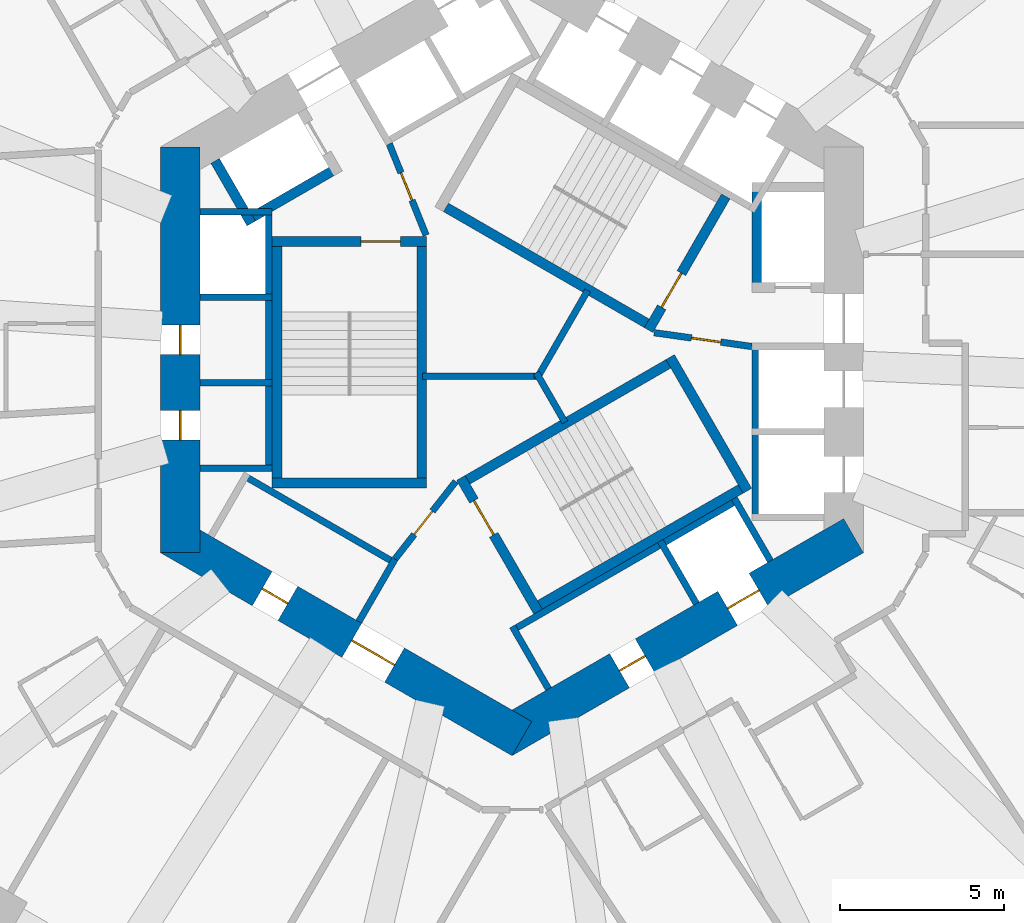
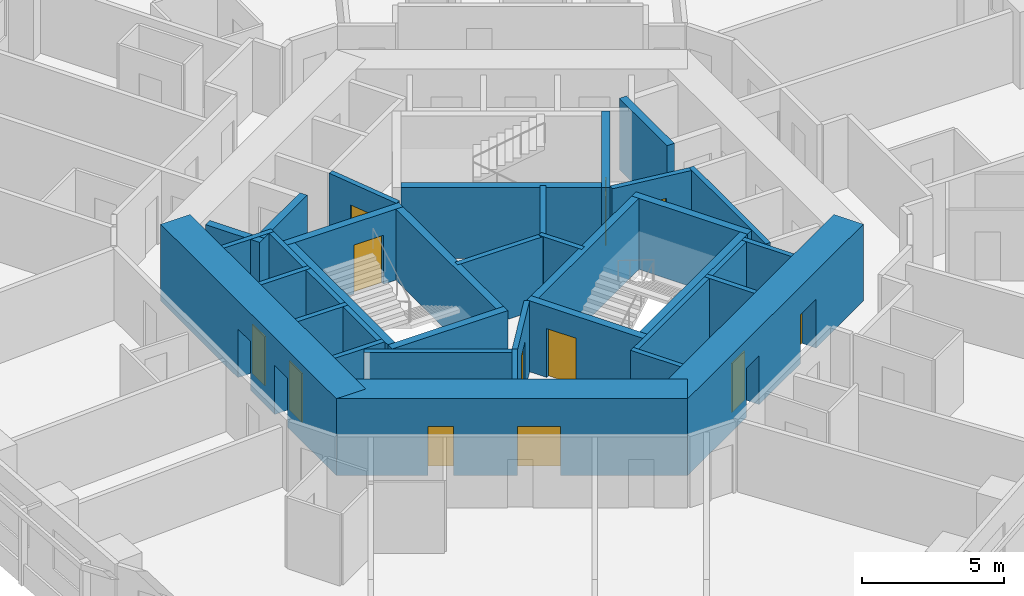
# One storey, part 5 of 12: 34 walls, 12 doors, 12 openings.
"""IFC4 building model written with IfcOpenShell, lengths in metres."""

from ifc_helpers import new_model, si_unit, direction, frame, frame_2d, origin, place, context, subcontext, project, spatial, rectangle, extrude, material, layer, layer_set, type_object, element, fill, save


model = new_model("IFC4")

# Units and contexts
model_context = context("Model", 3, precision=1e-05, world=origin(), true_north=direction((0.0, 1.0)))
body_context = subcontext(model_context, "Body", "Model", "MODEL_VIEW")
ifc_project = project(units=[si_unit("LENGTHUNIT", "METRE"), si_unit("AREAUNIT", "SQUARE_METRE"), si_unit("VOLUMEUNIT", "CUBIC_METRE"), si_unit("PLANEANGLEUNIT", "RADIAN"), si_unit("MASSUNIT", "GRAM", prefix="KILO")], contexts=[model_context])

# Site, building, storey
site_placement = place(None, origin())
site = spatial("IfcSite", under=ifc_project, at=site_placement, CompositionType="ELEMENT")
building_placement = place(site_placement, origin())
building = spatial("IfcBuilding", under=site, at=building_placement, Name="Vanh Sen Convention Tower", CompositionType="ELEMENT")
storey_placement = place(building_placement, frame((0.0, 0.0, 67.10009765625)))
storey = spatial("IfcBuildingStorey", under=building, at=storey_placement, Name="L14", CompositionType="ELEMENT", Elevation=67.10009765625)

# Wall, openings, doors
ifc_material_1 = material(Name="Concrete C80/95", Category="concrete")
ifc_layer_1 = layer(ifc_material_1, 1.199951171875)
ifc_layer_set_1 = layer_set([ifc_layer_1], Name="Concrete C80/95")
wall_type_1 = type_object("IfcWallType", Name="Core outer wall 1200 C80/95", PredefinedType="SHEAR", material=ifc_layer_set_1)
wall_1_placement = place(storey_placement, frame((-10.10009765625, 6.177490234375, 0.0), z_axis=(0.0, 0.0, 1.0), x_axis=(0.0, -1.0, 0.0)))
wall_1 = element("IfcWall", 1, at=wall_1_placement, inside=storey, type_object=wall_type_1, Name="Core wall face W L14", PredefinedType="SHEAR", context=body_context, shape_type="SweptSolid", body=[
    extrude(rectangle(XDim=12.35498046875, YDim=1.199951171875, at=frame_2d((6.177490234375, 0.0))), origin(), (0.0, 0.0, 1.0), 3.2998046875),
])
opening_1_placement = place(wall_1_placement, frame((5.427490234375, 0.0, 0.0)))
opening_1 = element("IfcOpeningElement", 2, at=opening_1_placement, cuts=wall_1, Name="Opening D13010", PredefinedType="OPENING", context=body_context, shape_type="SweptSolid", body=[
    extrude(rectangle(XDim=0.89990234375, YDim=2.10009765625, at=frame_2d((0.449951171875, 1.050048828125))), frame((0.0, 0.60986328125, 0.0), z_axis=(0.0, -1.0, 0.0), x_axis=(1.0, 0.0, 0.0)), (0.0, 0.0, 1.0), 1.219970703125),
])
opening_2_placement = place(wall_1_placement, frame((8.027587890625, 0.0, 0.0)))
opening_2 = element("IfcOpeningElement", 3, at=opening_2_placement, cuts=wall_1, Name="Opening D13011", PredefinedType="OPENING", context=body_context, shape_type="SweptSolid", body=[
    extrude(rectangle(XDim=0.89990234375, YDim=2.10009765625, at=frame_2d((0.449951171875, 1.050048828125))), frame((0.0, 0.60986328125, 0.0), z_axis=(0.0, -1.0, 0.0), x_axis=(1.0, 0.0, 0.0)), (0.0, 0.0, 1.0), 1.219970703125),
])
ifc_material_2 = material(Name="Steel S355", Category="steel")
door_type_1 = type_object("IfcDoorType", Name="Plant door 900", OperationType="SINGLE_SWING_LEFT", PredefinedType="DOOR", material=ifc_material_2)
door_1_placement = place(opening_1_placement, origin())
door_1 = element("IfcDoor", 4, at=door_1_placement, inside=storey, type_object=door_type_1, Name="Plant door D13010", OperationType="SINGLE_SWING_LEFT", OverallHeight=2.10009765625, OverallWidth=0.89990234375, PredefinedType="DOOR", context=body_context, shape_type="SweptSolid", body=[
    extrude(rectangle(XDim=0.89990234375, YDim=2.10009765625, at=frame_2d((0.449951171875, 1.050048828125))), frame((0.0, 0.02490234375, 0.0), z_axis=(0.0, -1.0, 0.0), x_axis=(1.0, 0.0, 0.0)), (0.0, 0.0, 1.0), 0.050048828125),
])
fill(opening_1, door_1)
door_2_placement = place(opening_2_placement, origin())
door_2 = element("IfcDoor", 5, at=door_2_placement, inside=storey, type_object=door_type_1, Name="Plant door D13011", OperationType="SINGLE_SWING_LEFT", OverallHeight=2.10009765625, OverallWidth=0.89990234375, PredefinedType="DOOR", context=body_context, shape_type="SweptSolid", body=[
    extrude(rectangle(XDim=0.89990234375, YDim=2.10009765625, at=frame_2d((0.449951171875, 1.050048828125))), frame((0.0, 0.02490234375, 0.0), z_axis=(0.0, -1.0, 0.0), x_axis=(1.0, 0.0, 0.0)), (0.0, 0.0, 1.0), 0.050048828125),
])
fill(opening_2, door_2)

wall_2_placement = place(storey_placement, frame((-10.39990234375, -5.657958984375, 0.0), z_axis=(0.0, 0.0, 1.0), x_axis=(0.866021384402, -0.500006961711, 0.0)))
wall_2 = element("IfcWall", 6, at=wall_2_placement, inside=storey, type_object=wall_type_1, Name="Core wall face SW L14", PredefinedType="SHEAR", context=body_context, shape_type="SweptSolid", body=[
    extrude(rectangle(XDim=12.355224609375, YDim=1.199951171875, at=frame_2d((6.177734375, 0.0))), origin(), (0.0, 0.0, 1.0), 3.2998046875),
])
opening_3_placement = place(wall_2_placement, frame((6.377685546875, 0.0, 0.0)))
opening_3 = element("IfcOpeningElement", 7, at=opening_3_placement, cuts=wall_2, Name="Opening D13003", PredefinedType="OPENING", context=body_context, shape_type="SweptSolid", body=[
    extrude(rectangle(XDim=1.5, YDim=2.10009765625, at=frame_2d((0.75, 1.050048828125))), frame((0.0, 0.60986328125, 0.0), z_axis=(0.0, -1.0, 0.0), x_axis=(1.0, 0.0, 0.0)), (0.0, 0.0, 1.0), 1.219970703125),
])
opening_4_placement = place(wall_2_placement, frame((3.227783203125, 0.0, 0.0)))
opening_4 = element("IfcOpeningElement", 8, at=opening_4_placement, cuts=wall_2, Name="Opening D13012", PredefinedType="OPENING", context=body_context, shape_type="SweptSolid", body=[
    extrude(rectangle(XDim=0.89990234375, YDim=2.10009765625, at=frame_2d((0.449951171875, 1.050048828125))), frame((0.0, 0.60986328125, 0.0), z_axis=(0.0, -1.0, 0.0), x_axis=(1.0, 0.0, 0.0)), (0.0, 0.0, 1.0), 1.219970703125),
])
door_3_placement = place(opening_4_placement, origin())
door_3 = element("IfcDoor", 9, at=door_3_placement, inside=storey, type_object=door_type_1, Name="Plant door D13012", OperationType="SINGLE_SWING_LEFT", OverallHeight=2.10009765625, OverallWidth=0.89990234375, PredefinedType="DOOR", context=body_context, shape_type="SweptSolid", body=[
    extrude(rectangle(XDim=0.89990234375, YDim=2.10009765625, at=frame_2d((0.449951171875, 1.050048828125))), frame((0.0, 0.02490234375, 0.0), z_axis=(0.0, -1.0, 0.0), x_axis=(1.0, 0.0, 0.0)), (0.0, 0.0, 1.0), 0.050048828125),
])
fill(opening_4, door_3)
door_type_2 = type_object("IfcDoorType", Name="Stair lobby door 1500", OperationType="DOUBLE_DOOR_SINGLE_SWING", PredefinedType="DOOR", material=ifc_material_2)
door_4_placement = place(opening_3_placement, origin())
door_4 = element("IfcDoor", 10, at=door_4_placement, inside=storey, type_object=door_type_2, Name="Stair lobby door D13003", OperationType="DOUBLE_DOOR_SINGLE_SWING", OverallHeight=2.10009765625, OverallWidth=1.5, PredefinedType="DOOR", context=body_context, shape_type="SweptSolid", body=[
    extrude(rectangle(XDim=1.5, YDim=2.10009765625, at=frame_2d((0.75, 1.050048828125))), frame((0.0, 0.02490234375, 0.0), z_axis=(0.0, -1.0, 0.0), x_axis=(1.0, 0.0, 0.0)), (0.0, 0.0, 1.0), 0.050048828125),
])
fill(opening_3, door_4)

wall_3_placement = place(storey_placement, frame((-0.300048828125, -11.835693359375, 0.0), z_axis=(0.0, 0.0, 1.0), x_axis=(0.866021384402, 0.500006961711, 0.0)))
wall_3 = element("IfcWall", 11, at=wall_3_placement, inside=storey, type_object=wall_type_1, Name="Core wall face SE L14", PredefinedType="SHEAR", context=body_context, shape_type="SweptSolid", body=[
    extrude(rectangle(XDim=12.355224609375, YDim=1.199951171875, at=frame_2d((6.177734375, 0.0))), origin(), (0.0, 0.0, 1.0), 3.2998046875),
])
opening_5_placement = place(wall_3_placement, frame((4.127685546875, 0.0, 0.0)))
opening_5 = element("IfcOpeningElement", 12, at=opening_5_placement, cuts=wall_3, Name="Opening D13013", PredefinedType="OPENING", context=body_context, shape_type="SweptSolid", body=[
    extrude(rectangle(XDim=0.89990234375, YDim=2.10009765625, at=frame_2d((0.449951171875, 1.050048828125))), frame((0.0, 0.60986328125, 0.0), z_axis=(0.0, -1.0, 0.0), x_axis=(1.0, 0.0, 0.0)), (0.0, 0.0, 1.0), 1.219970703125),
])
opening_6_placement = place(wall_3_placement, frame((7.927734375, 0.0, 0.0)))
opening_6 = element("IfcOpeningElement", 13, at=opening_6_placement, cuts=wall_3, Name="Opening LD-SV1", PredefinedType="OPENING", context=body_context, shape_type="SweptSolid", body=[
    extrude(rectangle(XDim=1.10009765625, YDim=2.10009765625, at=frame_2d((0.550048828125, 1.050048828125))), frame((0.0, 0.60986328125, 0.0), z_axis=(0.0, -1.0, 0.0), x_axis=(1.0, 0.0, 0.0)), (0.0, 0.0, 1.0), 1.219970703125),
])
ifc_material_3 = material(Name="Stainless steel", Category="steel")
door_type_3 = type_object("IfcDoorType", Name="Lift landing door 1100", OperationType="DOUBLE_DOOR_SLIDING", PredefinedType="DOOR", material=ifc_material_3)
door_5_placement = place(opening_6_placement, origin())
door_5 = element("IfcDoor", 14, at=door_5_placement, inside=storey, type_object=door_type_3, Name="Lift SV1 landing door LD-SV1", OperationType="DOUBLE_DOOR_SLIDING", OverallHeight=2.10009765625, OverallWidth=1.10009765625, PredefinedType="DOOR", context=body_context, shape_type="SweptSolid", body=[
    extrude(rectangle(XDim=1.10009765625, YDim=2.10009765625, at=frame_2d((0.550048828125, 1.050048828125))), frame((0.0, 0.02490234375, 0.0), z_axis=(0.0, -1.0, 0.0), x_axis=(1.0, 0.0, 0.0)), (0.0, 0.0, 1.0), 0.050048828125),
])
fill(opening_6, door_5)
door_6_placement = place(opening_5_placement, origin())
door_6 = element("IfcDoor", 15, at=door_6_placement, inside=storey, type_object=door_type_1, Name="Plant door D13013", OperationType="SINGLE_SWING_LEFT", OverallHeight=2.10009765625, OverallWidth=0.89990234375, PredefinedType="DOOR", context=body_context, shape_type="SweptSolid", body=[
    extrude(rectangle(XDim=0.89990234375, YDim=2.10009765625, at=frame_2d((0.449951171875, 1.050048828125))), frame((0.0, 0.02490234375, 0.0), z_axis=(0.0, -1.0, 0.0), x_axis=(1.0, 0.0, 0.0)), (0.0, 0.0, 1.0), 0.050048828125),
])
fill(opening_5, door_6)

# Walls
ifc_material_4 = material(Name="Masonry blockwork", Category="masonry")
ifc_layer_2 = layer(ifc_material_4, 0.199951171875)
ifc_layer_set_2 = layer_set([ifc_layer_2], Name="Masonry blockwork")
wall_type_2 = type_object("IfcWallType", Name="Core partition 200", PredefinedType="PARTITIONING", material=ifc_layer_set_2)
wall_4_placement = place(storey_placement, frame((0.919921875, -0.800048828125, 0.0), z_axis=(0.0, 0.0, 1.0), x_axis=(-1.0, 0.0, 0.0)))
element("IfcWall", 16, at=wall_4_placement, inside=storey, type_object=wall_type_2, Name="Core partition L14", PredefinedType="PARTITIONING", context=body_context, shape_type="SweptSolid", body=[
    extrude(rectangle(XDim=3.639892578125, YDim=0.199951171875, at=frame_2d((1.81982421875, 0.0))), origin(), (0.0, 0.0, 1.0), 3.0498046875),
])
wall_5_placement = place(storey_placement, frame((0.739990234375, -0.90380859375, 0.0), z_axis=(0.0, 0.0, 1.0), x_axis=(0.500028278809, 0.866009076391, 0.0)))
element("IfcWall", 17, at=wall_5_placement, inside=storey, type_object=wall_type_2, Name="Core partition L14", PredefinedType="PARTITIONING", context=body_context, shape_type="SweptSolid", body=[
    extrude(rectangle(XDim=3.132568359375, YDim=0.199951171875, at=frame_2d((1.56640625, 0.0))), origin(), (0.0, 0.0, 1.0), 3.0498046875),
])
wall_6_placement = place(storey_placement, frame((0.739990234375, -0.696044921875, 0.0), z_axis=(0.0, 0.0, 1.0), x_axis=(0.499956301907, -0.86605063142, 0.0)))
element("IfcWall", 18, at=wall_6_placement, inside=storey, type_object=wall_type_2, Name="Core partition L14", PredefinedType="PARTITIONING", context=body_context, shape_type="SweptSolid", body=[
    extrude(rectangle(XDim=1.747314453125, YDim=0.199951171875, at=frame_2d((0.87353515625, 0.0))), origin(), (0.0, 0.0, 1.0), 3.0498046875),
])
ifc_material_5 = material(Name="Concrete C60/75", Category="concrete")
ifc_layer_3 = layer(ifc_material_5, 0.300048828125)
ifc_layer_set_3 = layer_set([ifc_layer_3], Name="Concrete C60/75")
wall_type_3 = type_object("IfcWallType", Name="Fire-fighting lift shaft wall 300", PredefinedType="SHEAR", material=ifc_layer_set_3)
wall_7_placement = place(storey_placement, frame((7.449951171875, 1.75, 0.0), z_axis=(0.0, 0.0, 1.0), x_axis=(0.0, 1.0, 0.0)))
element("IfcWall", 19, at=wall_7_placement, inside=storey, type_object=wall_type_3, Name="Fire-fighting lift shaft wall L14", PredefinedType="SHEAR", context=body_context, shape_type="SweptSolid", body=[
    extrude(rectangle(XDim=3.35009765625, YDim=0.300048828125, at=frame_2d((1.675048828125, 0.0))), origin(), (0.0, 0.0, 1.0), 3.0498046875),
])
wall_8_placement = place(storey_placement, frame((-5.240478515625, 5.576904296875, 0.0), z_axis=(0.0, 0.0, 1.0), x_axis=(-0.866014461049, -0.500018952895, 0.0)))
element("IfcWall", 20, at=wall_8_placement, inside=storey, type_object=wall_type_3, Name="Fire-fighting lift shaft wall L14", PredefinedType="SHEAR", context=body_context, shape_type="SweptSolid", body=[
    extrude(rectangle(XDim=3.349853515625, YDim=0.300048828125, at=frame_2d((1.6748046875, 0.0))), origin(), (0.0, 0.0, 1.0), 3.0498046875),
])
wall_9_placement = place(storey_placement, frame((-7.936767578125, 3.846923828125, 0.0), z_axis=(0.0, 0.0, 1.0), x_axis=(-0.50002983664, 0.866008176907, 0.0)))
element("IfcWall", 21, at=wall_9_placement, inside=storey, type_object=wall_type_3, Name="Fire-fighting lift shaft wall L14", PredefinedType="SHEAR", context=body_context, shape_type="SweptSolid", body=[
    extrude(rectangle(XDim=2.199951171875, YDim=0.300048828125, at=frame_2d((1.10009765625, 0.0))), origin(), (0.0, 0.0, 1.0), 3.0498046875),
])
ifc_material_6 = material(Name="Concrete C40/50", Category="concrete")
ifc_layer_4 = layer(ifc_material_6, 0.199951171875)
ifc_layer_set_4 = layer_set([ifc_layer_4], Name="Concrete C40/50")
wall_type_4 = type_object("IfcWallType", Name="Lift shaft wall 200", PredefinedType="PARTITIONING", material=ifc_layer_set_4)
wall_10_placement = place(storey_placement, frame((7.39990234375, -5.199951171875, 0.0), z_axis=(0.0, 0.0, 1.0), x_axis=(0.0, 1.0, 0.0)))
element("IfcWall", 22, at=wall_10_placement, inside=storey, type_object=wall_type_4, Name="Lift shaft wall L14", PredefinedType="PARTITIONING", context=body_context, shape_type="SweptSolid", body=[
    extrude(rectangle(XDim=5.39990234375, YDim=0.199951171875, at=frame_2d((2.699951171875, 0.0))), origin(), (0.0, 0.0, 1.0), 3.0498046875),
])
wall_11_placement = place(storey_placement, frame((-7.39990234375, 4.300048828125, 0.0), z_axis=(0.0, 0.0, 1.0), x_axis=(0.0, -1.0, 0.0)))
element("IfcWall", 23, at=wall_11_placement, inside=storey, type_object=wall_type_4, Name="Lift shaft wall L14", PredefinedType="PARTITIONING", context=body_context, shape_type="SweptSolid", body=[
    extrude(rectangle(XDim=8.0, YDim=0.199951171875, at=frame_2d((4.0, 0.0))), origin(), (0.0, 0.0, 1.0), 3.0498046875),
])
for number, where, z_axis, x_axis, name in (
    (24, (-7.300048828125, 4.199951171875, 0.0), (0.0, 0.0, 1.0), (-1.0, 0.0, 0.0), "Lift shaft wall L14"),
    (25, (-7.300048828125, 1.60009765625, 0.0), (0.0, 0.0, 1.0), (-1.0, 0.0, 0.0), "Lift shaft wall L14"),
    (26, (-7.300048828125, -1.0, 0.0), (0.0, 0.0, 1.0), (-1.0, 0.0, 0.0), "Lift shaft wall L14"),
    (27, (-7.300048828125, -3.60009765625, 0.0), (0.0, 0.0, 1.0), (-1.0, 0.0, 0.0), "Lift shaft wall L14"),
):
    element("IfcWall", number, at=place(storey_placement, frame(where, z_axis=z_axis, x_axis=x_axis)), inside=storey, type_object=wall_type_4, Name=name, PredefinedType="PARTITIONING", context=body_context, shape_type="SweptSolid", body=[
        extrude(rectangle(XDim=2.199951171875, YDim=0.199951171875, at=frame_2d((1.10009765625, 0.0))), origin(), (0.0, 0.0, 1.0), 3.0498046875),
    ])
wall_12_placement = place(storey_placement, frame((-8.203369140625, -3.80859375, 0.0), z_axis=(0.0, 0.0, 1.0), x_axis=(0.866028230842, -0.499995103361, 0.0)))
element("IfcWall", 28, at=wall_12_placement, inside=storey, type_object=wall_type_4, Name="Lift shaft wall L14", PredefinedType="PARTITIONING", context=body_context, shape_type="SweptSolid", body=[
    extrude(rectangle(XDim=5.39990234375, YDim=0.199951171875, at=frame_2d((2.699951171875, 0.0))), origin(), (0.0, 0.0, 1.0), 3.0498046875),
])
wall_13_placement = place(storey_placement, frame((-3.5634765625, -6.3720703125, 0.0), z_axis=(0.0, 0.0, 1.0), x_axis=(-0.499994660107, -0.866028486751, 0.0)))
element("IfcWall", 29, at=wall_13_placement, inside=storey, type_object=wall_type_4, Name="Lift shaft wall L14", PredefinedType="PARTITIONING", context=body_context, shape_type="SweptSolid", body=[
    extrude(rectangle(XDim=2.19970703125, YDim=0.199951171875, at=frame_2d((1.099853515625, 0.0))), origin(), (0.0, 0.0, 1.0), 3.0498046875),
])
wall_14_placement = place(storey_placement, frame((-0.02392578125, -8.55859375, 0.0), z_axis=(0.0, 0.0, 1.0), x_axis=(0.866026010844, 0.49999894854, 0.0)))
element("IfcWall", 30, at=wall_14_placement, inside=storey, type_object=wall_type_4, Name="Lift shaft wall L14", PredefinedType="PARTITIONING", context=body_context, shape_type="SweptSolid", body=[
    extrude(rectangle(XDim=8.0, YDim=0.199951171875, at=frame_2d((4.0, 0.0))), origin(), (0.0, 0.0, 1.0), 3.0498046875),
])
for number, where, z_axis, x_axis, name in (
    (31, (0.0126953125, -8.422119140625, 0.0), (0.0, 0.0, 1.0), (0.500077893725, -0.86598042715, 0.0), "Lift shaft wall L14"),
    (32, (4.51611328125, -5.822021484375, 0.0), (0.0, 0.0, 1.0), (0.499946605688, -0.86605622881, 0.0), "Lift shaft wall L14"),
    (33, (6.767578125, -4.52197265625, 0.0), (0.0, 0.0, 1.0), (0.50002983664, -0.866008176907, 0.0), "Lift shaft wall L14"),
):
    element("IfcWall", number, at=place(storey_placement, frame(where, z_axis=z_axis, x_axis=x_axis)), inside=storey, type_object=wall_type_4, Name=name, PredefinedType="PARTITIONING", context=body_context, shape_type="SweptSolid", body=[
        extrude(rectangle(XDim=2.199951171875, YDim=0.199951171875, at=frame_2d((1.10009765625, 0.0))), origin(), (0.0, 0.0, 1.0), 3.0498046875),
    ])

# Wall, opening, door
ifc_layer_5 = layer(ifc_material_6, 0.199951171875)
ifc_layer_set_5 = layer_set([ifc_layer_5], Name="Concrete C40/50")
wall_type_5 = type_object("IfcWallType", Name="Stair lobby wall 200", PredefinedType="PARTITIONING", material=ifc_layer_set_5)
wall_15_placement = place(storey_placement, frame((4.327392578125, 0.52099609375, 0.0), z_axis=(0.0, 0.0, 1.0), x_axis=(0.990124376366, -0.14019172346, 0.0)))
wall_15 = element("IfcWall", 34, at=wall_15_placement, inside=storey, type_object=wall_type_5, Name="Stair lobby wall L14", PredefinedType="PARTITIONING", context=body_context, shape_type="SweptSolid", body=[
    extrude(rectangle(XDim=3.002197265625, YDim=0.199951171875, at=frame_2d((1.5009765625, 0.0))), origin(), (0.0, 0.0, 1.0), 3.0498046875),
])
opening_7_placement = place(wall_15_placement, frame((1.14990234375, 0.0, 0.0)))
opening_7 = element("IfcOpeningElement", 35, at=opening_7_placement, cuts=wall_15, Name="Opening D13007", PredefinedType="OPENING", context=body_context, shape_type="SweptSolid", body=[
    extrude(rectangle(XDim=0.89990234375, YDim=2.10009765625, at=frame_2d((0.449951171875, 1.050048828125))), frame((0.0, 0.10986328125, 0.0), z_axis=(0.0, -1.0, 0.0), x_axis=(1.0, 0.0, 0.0)), (0.0, 0.0, 1.0), 0.219970703125),
])
door_7_placement = place(opening_7_placement, origin())
door_7 = element("IfcDoor", 36, at=door_7_placement, inside=storey, type_object=door_type_1, Name="Plant door D13007", OperationType="SINGLE_SWING_LEFT", OverallHeight=2.10009765625, OverallWidth=0.89990234375, PredefinedType="DOOR", context=body_context, shape_type="SweptSolid", body=[
    extrude(rectangle(XDim=0.89990234375, YDim=2.10009765625, at=frame_2d((0.449951171875, 1.050048828125))), frame((0.0, 0.02490234375, 0.0), z_axis=(0.0, -1.0, 0.0), x_axis=(1.0, 0.0, 0.0)), (0.0, 0.0, 1.0), 0.050048828125),
])
fill(opening_7, door_7)

wall_16_placement = place(storey_placement, frame((-2.614990234375, 3.487060546875, 0.0), z_axis=(0.0, 0.0, 1.0), x_axis=(-0.373576831041, 0.92759924068, 0.0)))
wall_16 = element("IfcWall", 37, at=wall_16_placement, inside=storey, type_object=wall_type_5, Name="Stair lobby wall L14", PredefinedType="PARTITIONING", context=body_context, shape_type="SweptSolid", body=[
    extrude(rectangle(XDim=3.002197265625, YDim=0.199951171875, at=frame_2d((1.5009765625, 0.0))), origin(), (0.0, 0.0, 1.0), 3.0498046875),
])
opening_8_placement = place(wall_16_placement, frame((1.14990234375, 0.0, 0.0)))
opening_8 = element("IfcOpeningElement", 38, at=opening_8_placement, cuts=wall_16, Name="Opening D13008", PredefinedType="OPENING", context=body_context, shape_type="SweptSolid", body=[
    extrude(rectangle(XDim=0.89990234375, YDim=2.10009765625, at=frame_2d((0.449951171875, 1.050048828125))), frame((0.0, 0.10986328125, 0.0), z_axis=(0.0, -1.0, 0.0), x_axis=(1.0, 0.0, 0.0)), (0.0, 0.0, 1.0), 0.219970703125),
])
door_8_placement = place(opening_8_placement, origin())
door_8 = element("IfcDoor", 39, at=door_8_placement, inside=storey, type_object=door_type_1, Name="Plant door D13008", OperationType="SINGLE_SWING_LEFT", OverallHeight=2.10009765625, OverallWidth=0.89990234375, PredefinedType="DOOR", context=body_context, shape_type="SweptSolid", body=[
    extrude(rectangle(XDim=0.89990234375, YDim=2.10009765625, at=frame_2d((0.449951171875, 1.050048828125))), frame((0.0, 0.02490234375, 0.0), z_axis=(0.0, -1.0, 0.0), x_axis=(1.0, 0.0, 0.0)), (0.0, 0.0, 1.0), 0.050048828125),
])
fill(opening_8, door_8)

wall_17_placement = place(storey_placement, frame((-1.71240234375, -4.00830078125, 0.0), z_axis=(0.0, 0.0, 1.0), x_axis=(-0.616549420702, -0.787316208287, 0.0)))
wall_17 = element("IfcWall", 40, at=wall_17_placement, inside=storey, type_object=wall_type_5, Name="Stair lobby wall L14", PredefinedType="PARTITIONING", context=body_context, shape_type="SweptSolid", body=[
    extrude(rectangle(XDim=3.002197265625, YDim=0.199951171875, at=frame_2d((1.5009765625, 0.0))), origin(), (0.0, 0.0, 1.0), 3.0498046875),
])
opening_9_placement = place(wall_17_placement, frame((1.14990234375, 0.0, 0.0)))
opening_9 = element("IfcOpeningElement", 41, at=opening_9_placement, cuts=wall_17, Name="Opening D13009", PredefinedType="OPENING", context=body_context, shape_type="SweptSolid", body=[
    extrude(rectangle(XDim=0.89990234375, YDim=2.10009765625, at=frame_2d((0.449951171875, 1.050048828125))), frame((0.0, 0.10986328125, 0.0), z_axis=(0.0, -1.0, 0.0), x_axis=(1.0, 0.0, 0.0)), (0.0, 0.0, 1.0), 0.219970703125),
])
door_9_placement = place(opening_9_placement, origin())
door_9 = element("IfcDoor", 42, at=door_9_placement, inside=storey, type_object=door_type_1, Name="Plant door D13009", OperationType="SINGLE_SWING_LEFT", OverallHeight=2.10009765625, OverallWidth=0.89990234375, PredefinedType="DOOR", context=body_context, shape_type="SweptSolid", body=[
    extrude(rectangle(XDim=0.89990234375, YDim=2.10009765625, at=frame_2d((0.449951171875, 1.050048828125))), frame((0.0, 0.02490234375, 0.0), z_axis=(0.0, -1.0, 0.0), x_axis=(1.0, 0.0, 0.0)), (0.0, 0.0, 1.0), 0.050048828125),
])
fill(opening_9, door_9)

ifc_layer_6 = layer(ifc_material_5, 0.300048828125)
ifc_layer_set_6 = layer_set([ifc_layer_6], Name="Concrete C60/75")
wall_type_6 = type_object("IfcWallType", Name="Stair wall 300", PredefinedType="SHEAR", material=ifc_layer_set_6)
wall_18_placement = place(storey_placement, frame((4.157958984375, 0.601806640625, 0.0), z_axis=(0.0, 0.0, 1.0), x_axis=(0.499977259774, 0.866038532462, 0.0)))
wall_18 = element("IfcWall", 43, at=wall_18_placement, inside=storey, type_object=wall_type_6, Name="Stair wall L14", PredefinedType="SHEAR", context=body_context, shape_type="SweptSolid", body=[
    extrude(rectangle(XDim=4.699951171875, YDim=0.300048828125, at=frame_2d((2.35009765625, 0.0))), origin(), (0.0, 0.0, 1.0), 3.0498046875),
])
opening_10_placement = place(wall_18_placement, frame((0.800048828125, 0.0, 0.0)))
opening_10 = element("IfcOpeningElement", 44, at=opening_10_placement, cuts=wall_18, Name="Opening D13004", PredefinedType="OPENING", context=body_context, shape_type="SweptSolid", body=[
    extrude(rectangle(XDim=1.199951171875, YDim=2.10009765625, at=frame_2d((0.60009765625, 1.050048828125))), frame((0.0, 0.159912109375, 0.0), z_axis=(0.0, -1.0, 0.0), x_axis=(1.0, 0.0, 0.0)), (0.0, 0.0, 1.0), 0.320068359375),
])
door_type_4 = type_object("IfcDoorType", Name="Stair door 1200", OperationType="SINGLE_SWING_RIGHT", PredefinedType="DOOR", material=ifc_material_2)
door_10_placement = place(opening_10_placement, origin())
door_10 = element("IfcDoor", 45, at=door_10_placement, inside=storey, type_object=door_type_4, Name="Stair ST1 door D13004", OperationType="SINGLE_SWING_RIGHT", OverallHeight=2.10009765625, OverallWidth=1.199951171875, PredefinedType="DOOR", context=body_context, shape_type="SweptSolid", body=[
    extrude(rectangle(XDim=1.199951171875, YDim=2.10009765625, at=frame_2d((0.60009765625, 1.050048828125))), frame((0.0, 0.02490234375, 0.0), z_axis=(0.0, -1.0, 0.0), x_axis=(1.0, 0.0, 0.0)), (0.0, 0.0, 1.0), 0.050048828125),
])
fill(opening_10, door_10)

# Wall
wall_19_placement = place(storey_placement, frame((4.10302734375, 0.806640625, 0.0), z_axis=(0.0, 0.0, 1.0), x_axis=(-0.866027801685, 0.499995846692, 0.0)))
element("IfcWall", 46, at=wall_19_placement, inside=storey, type_object=wall_type_6, Name="Stair wall L14", PredefinedType="SHEAR", context=body_context, shape_type="SweptSolid", body=[
    extrude(rectangle(XDim=7.06005859375, YDim=0.300048828125, at=frame_2d((3.530029296875, 0.0))), origin(), (0.0, 0.0, 1.0), 3.0498046875),
])

# Wall, opening, door
wall_20_placement = place(storey_placement, frame((-2.60009765625, 3.300048828125, 0.0), z_axis=(0.0, 0.0, 1.0), x_axis=(-1.0, 0.0, 0.0)))
wall_20 = element("IfcWall", 47, at=wall_20_placement, inside=storey, type_object=wall_type_6, Name="Stair wall L14", PredefinedType="SHEAR", context=body_context, shape_type="SweptSolid", body=[
    extrude(rectangle(XDim=4.699951171875, YDim=0.300048828125, at=frame_2d((2.35009765625, 0.0))), origin(), (0.0, 0.0, 1.0), 3.0498046875),
])
opening_11_placement = place(wall_20_placement, frame((0.800048828125, 0.0, 0.0)))
opening_11 = element("IfcOpeningElement", 48, at=opening_11_placement, cuts=wall_20, Name="Opening D13005", PredefinedType="OPENING", context=body_context, shape_type="SweptSolid", body=[
    extrude(rectangle(XDim=1.199951171875, YDim=2.10009765625, at=frame_2d((0.60009765625, 1.050048828125))), frame((0.0, 0.159912109375, 0.0), z_axis=(0.0, -1.0, 0.0), x_axis=(1.0, 0.0, 0.0)), (0.0, 0.0, 1.0), 0.320068359375),
])
door_11_placement = place(opening_11_placement, origin())
door_11 = element("IfcDoor", 49, at=door_11_placement, inside=storey, type_object=door_type_4, Name="Stair ST2 door D13005", OperationType="SINGLE_SWING_RIGHT", OverallHeight=2.10009765625, OverallWidth=1.199951171875, PredefinedType="DOOR", context=body_context, shape_type="SweptSolid", body=[
    extrude(rectangle(XDim=1.199951171875, YDim=2.10009765625, at=frame_2d((0.60009765625, 1.050048828125))), frame((0.0, 0.02490234375, 0.0), z_axis=(0.0, -1.0, 0.0), x_axis=(1.0, 0.0, 0.0)), (0.0, 0.0, 1.0), 0.050048828125),
])
fill(opening_11, door_11)

# Walls
wall_21_placement = place(storey_placement, frame((-2.60009765625, -4.06005859375, 0.0), z_axis=(0.0, 0.0, 1.0), x_axis=(-1.0, 0.0, 0.0)))
element("IfcWall", 50, at=wall_21_placement, inside=storey, type_object=wall_type_6, Name="Stair wall L14", PredefinedType="SHEAR", context=body_context, shape_type="SweptSolid", body=[
    extrude(rectangle(XDim=4.699951171875, YDim=0.300048828125, at=frame_2d((2.35009765625, 0.0))), origin(), (0.0, 0.0, 1.0), 3.0498046875),
])
for number, where, z_axis, x_axis, name in (
    (51, (-2.75, 3.14990234375, 0.0), (0.0, 0.0, 1.0), (0.0, -1.0, 0.0), "Stair wall L14"),
    (52, (-7.14990234375, 3.14990234375, 0.0), (0.0, 0.0, 1.0), (0.0, -1.0, 0.0), "Stair wall L14"),
):
    element("IfcWall", number, at=place(storey_placement, frame(where, z_axis=z_axis, x_axis=x_axis)), inside=storey, type_object=wall_type_6, Name=name, PredefinedType="SHEAR", context=body_context, shape_type="SweptSolid", body=[
        extrude(rectangle(XDim=7.059814453125, YDim=0.300048828125, at=frame_2d((3.52978515625, 0.0))), origin(), (0.0, 0.0, 1.0), 3.0498046875),
    ])

# Wall, opening, door
wall_22_placement = place(storey_placement, frame((-1.557861328125, -3.901611328125, 0.0), z_axis=(0.0, 0.0, 1.0), x_axis=(0.499977259774, -0.866038532462, 0.0)))
wall_22 = element("IfcWall", 53, at=wall_22_placement, inside=storey, type_object=wall_type_6, Name="Stair wall L14", PredefinedType="SHEAR", context=body_context, shape_type="SweptSolid", body=[
    extrude(rectangle(XDim=4.699951171875, YDim=0.300048828125, at=frame_2d((2.35009765625, 0.0))), origin(), (0.0, 0.0, 1.0), 3.0498046875),
])
opening_12_placement = place(wall_22_placement, frame((0.800048828125, 0.0, 0.0)))
opening_12 = element("IfcOpeningElement", 54, at=opening_12_placement, cuts=wall_22, Name="Opening D13006", PredefinedType="OPENING", context=body_context, shape_type="SweptSolid", body=[
    extrude(rectangle(XDim=1.199951171875, YDim=2.10009765625, at=frame_2d((0.60009765625, 1.050048828125))), frame((0.0, 0.159912109375, 0.0), z_axis=(0.0, -1.0, 0.0), x_axis=(1.0, 0.0, 0.0)), (0.0, 0.0, 1.0), 0.320068359375),
])
door_12_placement = place(opening_12_placement, origin())
door_12 = element("IfcDoor", 55, at=door_12_placement, inside=storey, type_object=door_type_4, Name="Stair ST3 door D13006", OperationType="SINGLE_SWING_RIGHT", OverallHeight=2.10009765625, OverallWidth=1.199951171875, PredefinedType="DOOR", context=body_context, shape_type="SweptSolid", body=[
    extrude(rectangle(XDim=1.199951171875, YDim=2.10009765625, at=frame_2d((0.60009765625, 1.050048828125))), frame((0.0, 0.02490234375, 0.0), z_axis=(0.0, -1.0, 0.0), x_axis=(1.0, 0.0, 0.0)), (0.0, 0.0, 1.0), 0.050048828125),
])
fill(opening_12, door_12)

# Walls
wall_23_placement = place(storey_placement, frame((4.816162109375, -0.2216796875, 0.0), z_axis=(0.0, 0.0, 1.0), x_axis=(0.499977259774, -0.866038532462, 0.0)))
element("IfcWall", 56, at=wall_23_placement, inside=storey, type_object=wall_type_6, Name="Stair wall L14", PredefinedType="SHEAR", context=body_context, shape_type="SweptSolid", body=[
    extrude(rectangle(XDim=4.699951171875, YDim=0.300048828125, at=frame_2d((2.35009765625, 0.0))), origin(), (0.0, 0.0, 1.0), 3.0498046875),
])
for number, where, z_axis, x_axis, name in (
    (57, (-1.35302734375, -3.95654296875, 0.0), (0.0, 0.0, 1.0), (0.866027801685, 0.499995846692, 0.0), "Stair wall L14"),
    (58, (0.846923828125, -7.76708984375, 0.0), (0.0, 0.0, 1.0), (0.866027801685, 0.499995846692, 0.0), "Stair wall L14"),
):
    element("IfcWall", number, at=place(storey_placement, frame(where, z_axis=z_axis, x_axis=x_axis)), inside=storey, type_object=wall_type_6, Name=name, PredefinedType="SHEAR", context=body_context, shape_type="SweptSolid", body=[
        extrude(rectangle(XDim=7.06005859375, YDim=0.300048828125, at=frame_2d((3.530029296875, 0.0))), origin(), (0.0, 0.0, 1.0), 3.0498046875),
    ])

save(model, "model.ifc")
